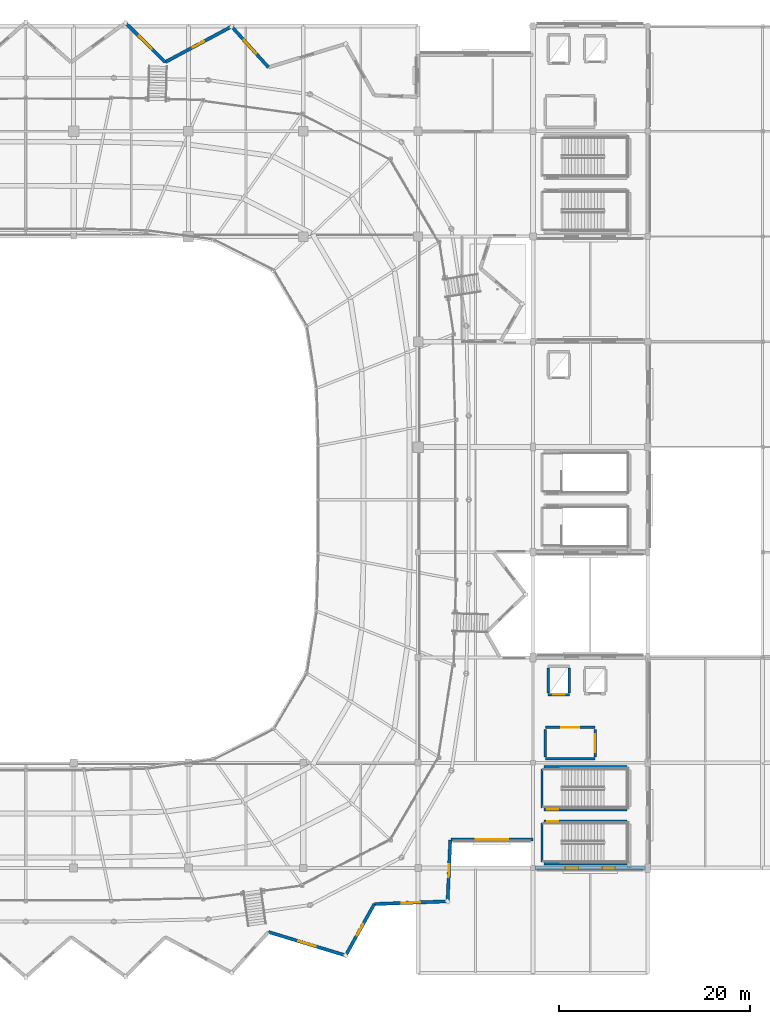
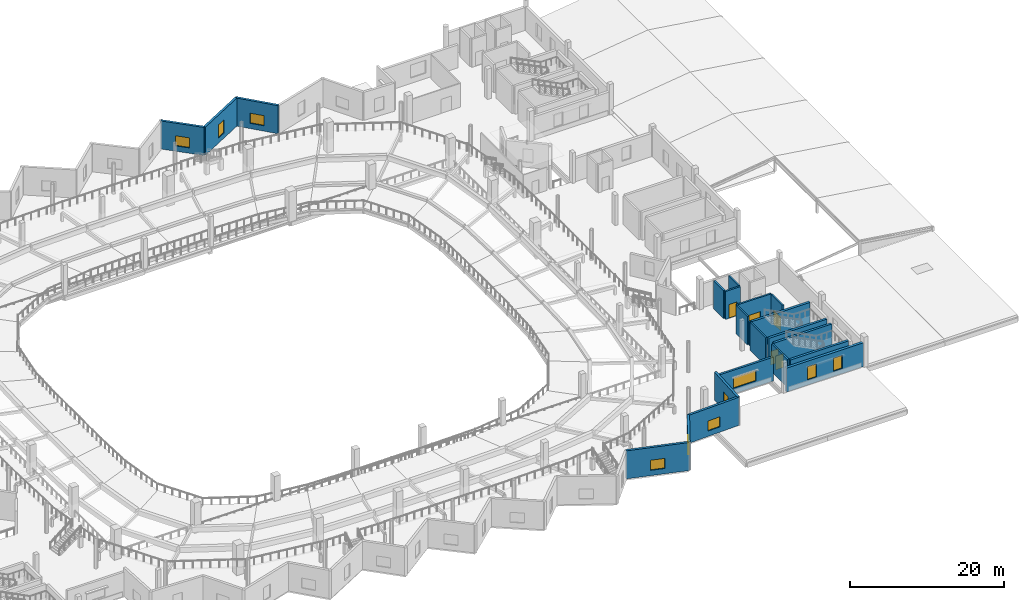
# One storey, part 56 of 77: 22 walls, 10 windows, 5 doors, 15 openings.
"""IFC4 building model written with IfcOpenShell, lengths in metres."""

from ifc_helpers import new_model, si_unit, direction, frame, frame_2d, origin, place, context, subcontext, project, spatial, rectangle, extrude, material, layer, layer_set, type_object, element, fill, save


model = new_model("IFC4")

# Units and contexts
model_context = context("Model", 3, precision=1e-05, world=origin(), true_north=direction((0.0, 1.0)))
body_context = subcontext(model_context, "Body", "Model", "MODEL_VIEW")
ifc_project = project(units=[si_unit("LENGTHUNIT", "METRE"), si_unit("AREAUNIT", "SQUARE_METRE"), si_unit("VOLUMEUNIT", "CUBIC_METRE"), si_unit("PLANEANGLEUNIT", "RADIAN"), si_unit("MASSUNIT", "GRAM", prefix="KILO")], contexts=[model_context])

# Site, building, storey
site_placement = place(None, origin())
site = spatial("IfcSite", under=ifc_project, at=site_placement, CompositionType="ELEMENT")
building_placement = place(site_placement, origin())
building = spatial("IfcBuilding", under=site, at=building_placement, Name="Luwafu Chhajja Arena", CompositionType="ELEMENT")
storey_placement = place(building_placement, frame((0.0, 0.0, 14.699951171875)))
storey = spatial("IfcBuildingStorey", under=building, at=storey_placement, Name="L03", CompositionType="ELEMENT", Elevation=14.699951171875)

# Wall, opening, door
ifc_material_1 = material(Name="Concrete C40/50", Category="concrete")
ifc_layer_1 = layer(ifc_material_1, 0.260009765625, Name="Concrete C40/50")
ifc_layer_set_1 = layer_set([ifc_layer_1], Name="Concrete C40/50")
wall_type_1 = type_object("IfcWallType", Name="Firefighting Lobby Wall 260", PredefinedType="SOLIDWALL", material=ifc_layer_set_1)
wall_1_placement = place(storey_placement, frame((153.300048828125, 25.699951171875, 0.0), z_axis=(0.0, 0.0, 1.0), x_axis=(1.0, 0.0, 0.0)))
wall_1 = element("IfcWall", 1, at=wall_1_placement, inside=storey, type_object=wall_type_1, Name="L03 Core C2 Firefighting Lobby Wall N", PredefinedType="SOLIDWALL", context=body_context, shape_type="SweptSolid", body=[
    extrude(rectangle(XDim=5.199951171875, YDim=0.260009765625, at=frame_2d((2.60009765625, 0.0))), origin(), (0.0, 0.0, 1.0), 4.4599609375),
])
opening_1_placement = place(wall_1_placement, frame((1.64990234375, 0.0, 0.0)))
opening_1 = element("IfcOpeningElement", 2, at=opening_1_placement, cuts=wall_1, Name="Opening DR-07", PredefinedType="OPENING", context=body_context, shape_type="SweptSolid", body=[
    extrude(rectangle(XDim=1.89990234375, YDim=2.199951171875, at=frame_2d((0.949951171875, 1.10009765625))), frame((0.0, 0.139892578125, 0.0), z_axis=(0.0, -1.0, 0.0), x_axis=(1.0, 0.0, 0.0)), (0.0, 0.0, 1.0), 0.280029296875),
])
ifc_material_2 = material(Name="Fire-rated hardwood and vision panel", Category="wood")
door_type_1 = type_object("IfcDoorType", Name="DR-07", OperationType="DOUBLE_DOOR_SINGLE_SWING", PredefinedType="DOOR", material=ifc_material_2)
door_1_placement = place(opening_1_placement, origin())
door_1 = element("IfcDoor", 3, at=door_1_placement, inside=storey, type_object=door_type_1, Name="L03 Firefighting Lobby C2 Door L03-D007", OperationType="DOUBLE_DOOR_SINGLE_SWING", OverallHeight=2.199951171875, OverallWidth=1.89990234375, PredefinedType="DOOR", context=body_context, shape_type="SweptSolid", body=[
    extrude(rectangle(XDim=1.89990234375, YDim=2.199951171875, at=frame_2d((0.949951171875, 1.10009765625))), frame((0.0, 0.02490234375, 0.0), z_axis=(0.0, -1.0, 0.0), x_axis=(1.0, 0.0, 0.0)), (0.0, 0.0, 1.0), 0.050048828125),
])
fill(opening_1, door_1)

# Walls
wall_2_placement = place(storey_placement, frame((153.300048828125, 22.39990234375, 0.0), z_axis=(0.0, 0.0, 1.0), x_axis=(1.0, 0.0, 0.0)))
element("IfcWall", 4, at=wall_2_placement, inside=storey, type_object=wall_type_1, Name="L03 Core C2 Firefighting Lobby Wall S", PredefinedType="SOLIDWALL", context=body_context, shape_type="SweptSolid", body=[
    extrude(rectangle(XDim=5.199951171875, YDim=0.260009765625, at=frame_2d((2.60009765625, 0.0))), origin(), (0.0, 0.0, 1.0), 3.7900390625),
])
wall_3_placement = place(storey_placement, frame((153.300048828125, 22.60009765625, 0.0), z_axis=(0.0, 0.0, 1.0), x_axis=(0.0, 1.0, 0.0)))
element("IfcWall", 5, at=wall_3_placement, inside=storey, type_object=wall_type_1, Name="L03 Core C2 Firefighting Lobby Wall W", PredefinedType="SOLIDWALL", context=body_context, shape_type="SweptSolid", body=[
    extrude(rectangle(XDim=2.89990234375, YDim=0.260009765625, at=frame_2d((1.449951171875, 0.0))), origin(), (0.0, 0.0, 1.0), 4.4599609375),
])

# Wall, opening, door
wall_4_placement = place(storey_placement, frame((158.5, 22.60009765625, 0.0), z_axis=(0.0, 0.0, 1.0), x_axis=(0.0, 1.0, 0.0)))
wall_4 = element("IfcWall", 6, at=wall_4_placement, inside=storey, type_object=wall_type_1, Name="L03 Core C2 Firefighting Lobby Wall E", PredefinedType="SOLIDWALL", context=body_context, shape_type="SweptSolid", body=[
    extrude(rectangle(XDim=2.89990234375, YDim=0.260009765625, at=frame_2d((1.449951171875, 0.0))), origin(), (0.0, 0.0, 1.0), 4.4599609375),
])
opening_2_placement = place(wall_4_placement, frame((0.5, 0.0, 0.0)))
opening_2 = element("IfcOpeningElement", 7, at=opening_2_placement, cuts=wall_4, Name="Opening DR-07", PredefinedType="OPENING", context=body_context, shape_type="SweptSolid", body=[
    extrude(rectangle(XDim=1.89990234375, YDim=2.199951171875, at=frame_2d((0.949951171875, 1.10009765625))), frame((0.0, 0.139892578125, 0.0), z_axis=(0.0, -1.0, 0.0), x_axis=(1.0, 0.0, 0.0)), (0.0, 0.0, 1.0), 0.280029296875),
])
door_2_placement = place(opening_2_placement, origin())
door_2 = element("IfcDoor", 8, at=door_2_placement, inside=storey, type_object=door_type_1, Name="L03 Firefighting Lobby C2 Door L03-D008", OperationType="DOUBLE_DOOR_SINGLE_SWING", OverallHeight=2.199951171875, OverallWidth=1.89990234375, PredefinedType="DOOR", context=body_context, shape_type="SweptSolid", body=[
    extrude(rectangle(XDim=1.89990234375, YDim=2.199951171875, at=frame_2d((0.949951171875, 1.10009765625))), frame((0.0, 0.02490234375, 0.0), z_axis=(0.0, -1.0, 0.0), x_axis=(1.0, 0.0, 0.0)), (0.0, 0.0, 1.0), 0.050048828125),
])
fill(opening_2, door_2)

ifc_material_3 = material(Name="Concrete C35/45", Category="concrete")
ifc_layer_2 = layer(ifc_material_3, 0.260009765625, Name="Concrete C35/45")
ifc_layer_set_2 = layer_set([ifc_layer_2], Name="Concrete C35/45")
wall_type_2 = type_object("IfcWallType", Name="Lift and Riser Shaft Wall 260", PredefinedType="SOLIDWALL", material=ifc_layer_set_2)
wall_5_placement = place(storey_placement, frame((153.590087890625, 29.114990234375, 0.0), z_axis=(0.0, 0.0, 1.0), x_axis=(1.0, 0.0, 0.0)))
wall_5 = element("IfcWall", 9, at=wall_5_placement, inside=storey, type_object=wall_type_2, Name="L03 Lift LF-02 Shaft Wall S", PredefinedType="SOLIDWALL", context=body_context, shape_type="SweptSolid", body=[
    extrude(rectangle(XDim=2.219970703125, YDim=0.260009765625, at=frame_2d((1.10986328125, 0.0))), origin(), (0.0, 0.0, 1.0), 4.4599609375),
])
opening_3_placement = place(wall_5_placement, frame((0.510009765625, 0.0, 0.0)))
opening_3 = element("IfcOpeningElement", 10, at=opening_3_placement, cuts=wall_5, Name="Opening LD-02", PredefinedType="OPENING", context=body_context, shape_type="SweptSolid", body=[
    extrude(rectangle(XDim=1.199951171875, YDim=2.199951171875, at=frame_2d((0.60009765625, 1.10009765625))), frame((0.0, 0.139892578125, 0.0), z_axis=(0.0, -1.0, 0.0), x_axis=(1.0, 0.0, 0.0)), (0.0, 0.0, 1.0), 0.280029296875),
])
ifc_material_4 = material(Name="Brushed stainless steel sliding leaves", Category="steel")
door_type_2 = type_object("IfcDoorType", Name="LD-02", OperationType="SLIDING_TO_LEFT", PredefinedType="DOOR", material=ifc_material_4)
door_3_placement = place(opening_3_placement, origin())
door_3 = element("IfcDoor", 11, at=door_3_placement, inside=storey, type_object=door_type_2, Name="L03 Lift LF-02 Landing Door L03-LD03", OperationType="SLIDING_TO_LEFT", OverallHeight=2.199951171875, OverallWidth=1.199951171875, PredefinedType="DOOR", context=body_context, shape_type="SweptSolid", body=[
    extrude(rectangle(XDim=1.199951171875, YDim=2.199951171875, at=frame_2d((0.60009765625, 1.10009765625))), frame((0.0, 0.02490234375, 0.0), z_axis=(0.0, -1.0, 0.0), x_axis=(1.0, 0.0, 0.0)), (0.0, 0.0, 1.0), 0.050048828125),
])
fill(opening_3, door_3)

# Walls
for number, where, z_axis, x_axis, name in (
    (12, (153.590087890625, 29.31494140625, 0.0), (0.0, 0.0, 1.0), (0.0, 1.0, 0.0), "L03 Lift LF-02 Shaft Wall W"),
    (13, (155.81005859375, 29.31494140625, 0.0), (0.0, 0.0, 1.0), (0.0, 1.0, 0.0), "L03 Lift LF-02 Shaft Wall E"),
):
    element("IfcWall", number, at=place(storey_placement, frame(where, z_axis=z_axis, x_axis=x_axis)), inside=storey, type_object=wall_type_2, Name=name, PredefinedType="SOLIDWALL", context=body_context, shape_type="SweptSolid", body=[
        extrude(rectangle(XDim=2.570068359375, YDim=0.260009765625, at=frame_2d((1.28515625, 0.0))), origin(), (0.0, 0.0, 1.0), 4.4599609375),
    ])

# Wall, opening, window
ifc_material_5 = material(Name="Precast concrete C40/50", Category="concrete")
ifc_layer_3 = layer(ifc_material_5, 0.340087890625, Name="Precast concrete C40/50")
ifc_layer_set_3 = layer_set([ifc_layer_3], Name="Precast concrete C40/50")
wall_type_3 = type_object("IfcWallType", Name="Pleated Bowl V-Fold Wall 340", PredefinedType="USERDEFINED", material=ifc_layer_set_3)
wall_6_placement = place(storey_placement, frame((124.364013671875, 94.683837890625, 0.0), z_axis=(0.0, 0.0, 1.0), x_axis=(-0.670348131104, 0.742046752654, 0.0)))
wall_6 = element("IfcWall", 14, at=wall_6_placement, inside=storey, type_object=wall_type_3, Name="L03 Pleated Bowl V-Fold Wall 12", ObjectType="PLEATED FACADE WALL", PredefinedType="USERDEFINED", context=body_context, shape_type="SweptSolid", body=[
    extrude(rectangle(XDim=5.747802734375, YDim=0.340087890625, at=frame_2d((2.8740234375, 0.0))), origin(), (0.0, 0.0, 1.0), 4.455078125),
])
opening_4_placement = place(wall_6_placement, frame((1.923828125, 0.0, 0.85009765625)))
opening_4 = element("IfcOpeningElement", 15, at=opening_4_placement, cuts=wall_6, Name="Opening WN-15", PredefinedType="OPENING", context=body_context, shape_type="SweptSolid", body=[
    extrude(rectangle(XDim=1.89990234375, YDim=1.60009765625, at=frame_2d((0.949951171875, 0.800048828125))), frame((0.0, 0.179931640625, 0.0), z_axis=(0.0, -1.0, 0.0), x_axis=(1.0, 0.0, 0.0)), (0.0, 0.0, 1.0), 0.360107421875),
])
ifc_material_6 = material(Name="Solar-control laminated glass", Category="glass")
window_type_1 = type_object("IfcWindowType", Name="Pleated Drum Inward-Fold Clerestory 1900x1600", PartitioningType="SINGLE_PANEL", PredefinedType="WINDOW", material=ifc_material_6)
window_1_placement = place(opening_4_placement, origin())
window_1 = element("IfcWindow", 16, at=window_1_placement, inside=storey, type_object=window_type_1, Name="L03 Pleated Bowl Lancet Window 041", OverallHeight=1.60009765625, OverallWidth=1.89990234375, PartitioningType="SINGLE_PANEL", PredefinedType="WINDOW", context=body_context, shape_type="SweptSolid", body=[
    extrude(rectangle(XDim=1.89990234375, YDim=1.60009765625, at=frame_2d((0.949951171875, 0.800048828125))), frame((0.0, 0.030029296875, 0.0), z_axis=(0.0, -1.0, 0.0), x_axis=(1.0, 0.0, 0.0)), (0.0, 0.0, 1.0), 0.06005859375),
])
fill(opening_4, window_1)

wall_7_placement = place(storey_placement, frame((120.510986328125, 98.948974609375, 0.0), z_axis=(0.0, 0.0, 1.0), x_axis=(-0.881201188687, -0.472741435731, 0.0)))
wall_7 = element("IfcWall", 17, at=wall_7_placement, inside=storey, type_object=wall_type_3, Name="L03 Pleated Bowl V-Fold Wall 13", ObjectType="PLEATED FACADE WALL", PredefinedType="USERDEFINED", context=body_context, shape_type="SweptSolid", body=[
    extrude(rectangle(XDim=7.880859375, YDim=0.340087890625, at=frame_2d((3.9404296875, 0.0))), origin(), (0.0, 0.0, 1.0), 4.455078125),
])
opening_5_placement = place(wall_7_placement, frame((3.265380859375, 0.0, 0.800048828125)))
opening_5 = element("IfcOpeningElement", 18, at=opening_5_placement, cuts=wall_7, Name="Opening WN-17", PredefinedType="OPENING", context=body_context, shape_type="SweptSolid", body=[
    extrude(rectangle(XDim=1.35009765625, YDim=2.10009765625, at=frame_2d((0.675048828125, 1.050048828125))), frame((0.0, 0.179931640625, 0.0), z_axis=(0.0, -1.0, 0.0), x_axis=(1.0, 0.0, 0.0)), (0.0, 0.0, 1.0), 0.360107421875),
])
window_type_2 = type_object("IfcWindowType", Name="Exhibition Mezzanine Lancet Window 1350x2100", PartitioningType="SINGLE_PANEL", PredefinedType="WINDOW", material=ifc_material_6)
window_2_placement = place(opening_5_placement, origin())
window_2 = element("IfcWindow", 19, at=window_2_placement, inside=storey, type_object=window_type_2, Name="L03 Pleated Bowl Lancet Window 042", OverallHeight=2.10009765625, OverallWidth=1.35009765625, PartitioningType="SINGLE_PANEL", PredefinedType="WINDOW", context=body_context, shape_type="SweptSolid", body=[
    extrude(rectangle(XDim=1.35009765625, YDim=2.10009765625, at=frame_2d((0.675048828125, 1.050048828125))), frame((0.0, 0.030029296875, 0.0), z_axis=(0.0, -1.0, 0.0), x_axis=(1.0, 0.0, 0.0)), (0.0, 0.0, 1.0), 0.06005859375),
])
fill(opening_5, window_2)

wall_8_placement = place(storey_placement, frame((113.56640625, 95.223388671875, 0.0), z_axis=(0.0, 0.0, 1.0), x_axis=(-0.710084208502, 0.704116763638, 0.0)))
wall_8 = element("IfcWall", 20, at=wall_8_placement, inside=storey, type_object=wall_type_3, Name="L03 Pleated Bowl V-Fold Wall 14", ObjectType="PLEATED FACADE WALL", PredefinedType="USERDEFINED", context=body_context, shape_type="SweptSolid", body=[
    extrude(rectangle(XDim=5.850341796875, YDim=0.340087890625, at=frame_2d((2.92529296875, 0.0))), origin(), (0.0, 0.0, 1.0), 4.455078125),
])
opening_6_placement = place(wall_8_placement, frame((1.97509765625, 0.0, 0.85009765625)))
opening_6 = element("IfcOpeningElement", 21, at=opening_6_placement, cuts=wall_8, Name="Opening WN-15", PredefinedType="OPENING", context=body_context, shape_type="SweptSolid", body=[
    extrude(rectangle(XDim=1.89990234375, YDim=1.60009765625, at=frame_2d((0.949951171875, 0.800048828125))), frame((0.0, 0.179931640625, 0.0), z_axis=(0.0, -1.0, 0.0), x_axis=(1.0, 0.0, 0.0)), (0.0, 0.0, 1.0), 0.360107421875),
])
window_3_placement = place(opening_6_placement, origin())
window_3 = element("IfcWindow", 22, at=window_3_placement, inside=storey, type_object=window_type_1, Name="L03 Pleated Bowl Lancet Window 043", OverallHeight=1.60009765625, OverallWidth=1.89990234375, PartitioningType="SINGLE_PANEL", PredefinedType="WINDOW", context=body_context, shape_type="SweptSolid", body=[
    extrude(rectangle(XDim=1.89990234375, YDim=1.60009765625, at=frame_2d((0.949951171875, 0.800048828125))), frame((0.0, 0.030029296875, 0.0), z_axis=(0.0, -1.0, 0.0), x_axis=(1.0, 0.0, 0.0)), (0.0, 0.0, 1.0), 0.06005859375),
])
fill(opening_6, window_3)

wall_9_placement = place(storey_placement, frame((124.364013671875, 4.316162109375, 0.0), z_axis=(0.0, 0.0, 1.0), x_axis=(0.956738407321, -0.290949514446, 0.0)))
wall_9 = element("IfcWall", 23, at=wall_9_placement, inside=storey, type_object=wall_type_3, Name="L03 Pleated Bowl V-Fold Wall 54", ObjectType="PLEATED FACADE WALL", PredefinedType="USERDEFINED", context=body_context, shape_type="SweptSolid", body=[
    extrude(rectangle(XDim=8.427978515625, YDim=0.340087890625, at=frame_2d((4.2138671875, 0.0))), origin(), (0.0, 0.0, 1.0), 4.455078125),
])
opening_7_placement = place(wall_9_placement, frame((3.263916015625, 0.0, 0.85009765625)))
opening_7 = element("IfcOpeningElement", 24, at=opening_7_placement, cuts=wall_9, Name="Opening WN-15", PredefinedType="OPENING", context=body_context, shape_type="SweptSolid", body=[
    extrude(rectangle(XDim=1.89990234375, YDim=1.60009765625, at=frame_2d((0.949951171875, 0.800048828125))), frame((0.0, 0.179931640625, 0.0), z_axis=(0.0, -1.0, 0.0), x_axis=(1.0, 0.0, 0.0)), (0.0, 0.0, 1.0), 0.360107421875),
])
window_4_placement = place(opening_7_placement, origin())
window_4 = element("IfcWindow", 25, at=window_4_placement, inside=storey, type_object=window_type_1, Name="L03 Pleated Bowl Lancet Window 072", OverallHeight=1.60009765625, OverallWidth=1.89990234375, PartitioningType="SINGLE_PANEL", PredefinedType="WINDOW", context=body_context, shape_type="SweptSolid", body=[
    extrude(rectangle(XDim=1.89990234375, YDim=1.60009765625, at=frame_2d((0.949951171875, 0.800048828125))), frame((0.0, 0.030029296875, 0.0), z_axis=(0.0, -1.0, 0.0), x_axis=(1.0, 0.0, 0.0)), (0.0, 0.0, 1.0), 0.06005859375),
])
fill(opening_7, window_4)

wall_10_placement = place(storey_placement, frame((132.427490234375, 1.864013671875, 0.0), z_axis=(0.0, 0.0, 1.0), x_axis=(0.487306352228, 0.87323108, 0.0)))
wall_10 = element("IfcWall", 26, at=wall_10_placement, inside=storey, type_object=wall_type_3, Name="L03 Pleated Bowl V-Fold Wall 55", ObjectType="PLEATED FACADE WALL", PredefinedType="USERDEFINED", context=body_context, shape_type="SweptSolid", body=[
    extrude(rectangle(XDim=6.15283203125, YDim=0.340087890625, at=frame_2d((3.076416015625, 0.0))), origin(), (0.0, 0.0, 1.0), 4.455078125),
])
opening_8_placement = place(wall_10_placement, frame((2.401611328125, 0.0, 0.800048828125)))
opening_8 = element("IfcOpeningElement", 27, at=opening_8_placement, cuts=wall_10, Name="Opening WN-17", PredefinedType="OPENING", context=body_context, shape_type="SweptSolid", body=[
    extrude(rectangle(XDim=1.35009765625, YDim=2.10009765625, at=frame_2d((0.675048828125, 1.050048828125))), frame((0.0, 0.179931640625, 0.0), z_axis=(0.0, -1.0, 0.0), x_axis=(1.0, 0.0, 0.0)), (0.0, 0.0, 1.0), 0.360107421875),
])
window_5_placement = place(opening_8_placement, origin())
window_5 = element("IfcWindow", 28, at=window_5_placement, inside=storey, type_object=window_type_2, Name="L03 Pleated Bowl Lancet Window 073", OverallHeight=2.10009765625, OverallWidth=1.35009765625, PartitioningType="SINGLE_PANEL", PredefinedType="WINDOW", context=body_context, shape_type="SweptSolid", body=[
    extrude(rectangle(XDim=1.35009765625, YDim=2.10009765625, at=frame_2d((0.675048828125, 1.050048828125))), frame((0.0, 0.030029296875, 0.0), z_axis=(0.0, -1.0, 0.0), x_axis=(1.0, 0.0, 0.0)), (0.0, 0.0, 1.0), 0.06005859375),
])
fill(opening_8, window_5)

wall_11_placement = place(storey_placement, frame((135.42578125, 7.23681640625, 0.0), z_axis=(0.0, 0.0, 1.0), x_axis=(0.999297884119, 0.037466502319, 0.0)))
wall_11 = element("IfcWall", 29, at=wall_11_placement, inside=storey, type_object=wall_type_3, Name="L03 Pleated Bowl V-Fold Wall 56", ObjectType="PLEATED FACADE WALL", PredefinedType="USERDEFINED", context=body_context, shape_type="SweptSolid", body=[
    extrude(rectangle(XDim=7.6630859375, YDim=0.340087890625, at=frame_2d((3.83154296875, 0.0))), origin(), (0.0, 0.0, 1.0), 4.455078125),
])
opening_9_placement = place(wall_11_placement, frame((2.881591796875, 0.0, 0.85009765625)))
opening_9 = element("IfcOpeningElement", 30, at=opening_9_placement, cuts=wall_11, Name="Opening WN-15", PredefinedType="OPENING", context=body_context, shape_type="SweptSolid", body=[
    extrude(rectangle(XDim=1.89990234375, YDim=1.60009765625, at=frame_2d((0.949951171875, 0.800048828125))), frame((0.0, 0.179931640625, 0.0), z_axis=(0.0, -1.0, 0.0), x_axis=(1.0, 0.0, 0.0)), (0.0, 0.0, 1.0), 0.360107421875),
])
window_6_placement = place(opening_9_placement, origin())
window_6 = element("IfcWindow", 31, at=window_6_placement, inside=storey, type_object=window_type_1, Name="L03 Pleated Bowl Lancet Window 074", OverallHeight=1.60009765625, OverallWidth=1.89990234375, PartitioningType="SINGLE_PANEL", PredefinedType="WINDOW", context=body_context, shape_type="SweptSolid", body=[
    extrude(rectangle(XDim=1.89990234375, YDim=1.60009765625, at=frame_2d((0.949951171875, 0.800048828125))), frame((0.0, 0.030029296875, 0.0), z_axis=(0.0, -1.0, 0.0), x_axis=(1.0, 0.0, 0.0)), (0.0, 0.0, 1.0), 0.06005859375),
])
fill(opening_9, window_6)

wall_12_placement = place(storey_placement, frame((143.08349609375, 7.52392578125, 0.0), z_axis=(0.0, 0.0, 1.0), x_axis=(0.043587819379, 0.99904959937, 0.0)))
wall_12 = element("IfcWall", 32, at=wall_12_placement, inside=storey, type_object=wall_type_3, Name="L03 Pleated Bowl V-Fold Wall 57", ObjectType="PLEATED FACADE WALL", PredefinedType="USERDEFINED", context=body_context, shape_type="SweptSolid", body=[
    extrude(rectangle(XDim=6.402099609375, YDim=0.340087890625, at=frame_2d((3.201171875, 0.0))), origin(), (0.0, 0.0, 1.0), 4.455078125),
])
opening_10_placement = place(wall_12_placement, frame((2.52587890625, 0.0, 0.800048828125)))
opening_10 = element("IfcOpeningElement", 33, at=opening_10_placement, cuts=wall_12, Name="Opening WN-17", PredefinedType="OPENING", context=body_context, shape_type="SweptSolid", body=[
    extrude(rectangle(XDim=1.35009765625, YDim=2.10009765625, at=frame_2d((0.675048828125, 1.050048828125))), frame((0.0, 0.179931640625, 0.0), z_axis=(0.0, -1.0, 0.0), x_axis=(1.0, 0.0, 0.0)), (0.0, 0.0, 1.0), 0.360107421875),
])
window_7_placement = place(opening_10_placement, origin())
window_7 = element("IfcWindow", 34, at=window_7_placement, inside=storey, type_object=window_type_2, Name="L03 Pleated Bowl Lancet Window 075", OverallHeight=2.10009765625, OverallWidth=1.35009765625, PartitioningType="SINGLE_PANEL", PredefinedType="WINDOW", context=body_context, shape_type="SweptSolid", body=[
    extrude(rectangle(XDim=1.35009765625, YDim=2.10009765625, at=frame_2d((0.675048828125, 1.050048828125))), frame((0.0, 0.030029296875, 0.0), z_axis=(0.0, -1.0, 0.0), x_axis=(1.0, 0.0, 0.0)), (0.0, 0.0, 1.0), 0.06005859375),
])
fill(opening_10, window_7)

# Wall
ifc_layer_4 = layer(ifc_material_1, 0.35009765625, Name="Concrete C40/50")
ifc_layer_set_4 = layer_set([ifc_layer_4], Name="Concrete C40/50")
wall_type_4 = type_object("IfcWallType", Name="RC Core Shear Wall 350", PredefinedType="SOLIDWALL", material=ifc_layer_set_4)
wall_13_placement = place(storey_placement, frame((153.14990234375, 11.47802734375, 0.0), z_axis=(0.0, 0.0, 1.0), x_axis=(1.0, 0.0, 0.0)))
element("IfcWall", 35, at=wall_13_placement, inside=storey, type_object=wall_type_4, Name="L03 Stair ST-03 Core Shear Wall S", PredefinedType="SOLIDWALL", context=body_context, shape_type="SweptSolid", body=[
    extrude(rectangle(XDim=8.7001953125, YDim=0.35009765625, at=frame_2d((4.35009765625, 0.0))), origin(), (0.0, 0.0, 1.0), 4.4599609375),
])

# Wall, opening, door
wall_14_placement = place(storey_placement, frame((153.14990234375, 15.862060546875, 0.0), z_axis=(0.0, 0.0, 1.0), x_axis=(1.0, 0.0, 0.0)))
wall_14 = element("IfcWall", 36, at=wall_14_placement, inside=storey, type_object=wall_type_4, Name="L03 Stair ST-03 Core Shear Wall N", PredefinedType="SOLIDWALL", context=body_context, shape_type="SweptSolid", body=[
    extrude(rectangle(XDim=8.7001953125, YDim=0.35009765625, at=frame_2d((4.35009765625, 0.0))), origin(), (0.0, 0.0, 1.0), 4.4599609375),
])
opening_11_placement = place(wall_14_placement, frame((0.35009765625, 0.0, 0.0)))
opening_11 = element("IfcOpeningElement", 37, at=opening_11_placement, cuts=wall_14, Name="Opening DR-06", PredefinedType="OPENING", context=body_context, shape_type="SweptSolid", body=[
    extrude(rectangle(XDim=1.14990234375, YDim=2.199951171875, at=frame_2d((0.574951171875, 1.10009765625))), frame((0.0, 0.18505859375, 0.0), z_axis=(0.0, -1.0, 0.0), x_axis=(1.0, 0.0, 0.0)), (0.0, 0.0, 1.0), 0.3701171875),
])
ifc_material_7 = material(Name="Fire-rated hardwood and steel core", Category="steel")
door_type_3 = type_object("IfcDoorType", Name="DR-06", OperationType="NOTDEFINED", PredefinedType="DOOR", material=ifc_material_7)
door_4_placement = place(opening_11_placement, origin())
door_4 = element("IfcDoor", 38, at=door_4_placement, inside=storey, type_object=door_type_3, Name="L03 Escape Stair ST-03 Fire Door L03-D005", OperationType="SINGLE_SWING_RIGHT", OverallHeight=2.199951171875, OverallWidth=1.14990234375, PredefinedType="DOOR", context=body_context, shape_type="SweptSolid", body=[
    extrude(rectangle(XDim=1.14990234375, YDim=2.199951171875, at=frame_2d((0.574951171875, 1.10009765625))), frame((0.0, 0.02490234375, 0.0), z_axis=(0.0, -1.0, 0.0), x_axis=(1.0, 0.0, 0.0)), (0.0, 0.0, 1.0), 0.050048828125),
])
fill(opening_11, door_4)

wall_15_placement = place(storey_placement, frame((153.14990234375, 17.137939453125, 0.0), z_axis=(0.0, 0.0, 1.0), x_axis=(1.0, 0.0, 0.0)))
wall_15 = element("IfcWall", 39, at=wall_15_placement, inside=storey, type_object=wall_type_4, Name="L03 Stair ST-04 Core Shear Wall S", PredefinedType="SOLIDWALL", context=body_context, shape_type="SweptSolid", body=[
    extrude(rectangle(XDim=8.7001953125, YDim=0.35009765625, at=frame_2d((4.35009765625, 0.0))), origin(), (0.0, 0.0, 1.0), 4.4599609375),
])
opening_12_placement = place(wall_15_placement, frame((0.35009765625, 0.0, 0.0)))
opening_12 = element("IfcOpeningElement", 40, at=opening_12_placement, cuts=wall_15, Name="Opening DR-06", PredefinedType="OPENING", context=body_context, shape_type="SweptSolid", body=[
    extrude(rectangle(XDim=1.14990234375, YDim=2.199951171875, at=frame_2d((0.574951171875, 1.10009765625))), frame((0.0, 0.18505859375, 0.0), z_axis=(0.0, -1.0, 0.0), x_axis=(1.0, 0.0, 0.0)), (0.0, 0.0, 1.0), 0.3701171875),
])
door_5_placement = place(opening_12_placement, origin())
door_5 = element("IfcDoor", 41, at=door_5_placement, inside=storey, type_object=door_type_3, Name="L03 Escape Stair ST-04 Fire Door L03-D006", OperationType="SINGLE_SWING_LEFT", OverallHeight=2.199951171875, OverallWidth=1.14990234375, PredefinedType="DOOR", context=body_context, shape_type="SweptSolid", body=[
    extrude(rectangle(XDim=1.14990234375, YDim=2.199951171875, at=frame_2d((0.574951171875, 1.10009765625))), frame((0.0, 0.02490234375, 0.0), z_axis=(0.0, -1.0, 0.0), x_axis=(1.0, 0.0, 0.0)), (0.0, 0.0, 1.0), 0.050048828125),
])
fill(opening_12, door_5)

# Wall
wall_16_placement = place(storey_placement, frame((153.14990234375, 21.52197265625, 0.0), z_axis=(0.0, 0.0, 1.0), x_axis=(1.0, 0.0, 0.0)))
element("IfcWall", 42, at=wall_16_placement, inside=storey, type_object=wall_type_4, Name="L03 Stair ST-04 Core Shear Wall N", PredefinedType="SOLIDWALL", context=body_context, shape_type="SweptSolid", body=[
    extrude(rectangle(XDim=8.7001953125, YDim=0.35009765625, at=frame_2d((4.35009765625, 0.0))), origin(), (0.0, 0.0, 1.0), 4.4599609375),
])

# Wall, openings, windows
ifc_layer_5 = layer(ifc_material_1, 0.39990234375, Name="Concrete C40/50")
ifc_layer_set_5 = layer_set([ifc_layer_5], Name="Concrete C40/50")
wall_type_5 = type_object("IfcWallType", Name="RC Core Shear Wall 400", PredefinedType="SOLIDWALL", material=ifc_layer_set_5)
wall_17_placement = place(storey_placement, frame((152.219970703125, 11.0, 0.0), z_axis=(0.0, 0.0, 1.0), x_axis=(1.0, 0.0, 0.0)))
wall_17 = element("IfcWall", 43, at=wall_17_placement, inside=storey, type_object=wall_type_5, Name="L03 Exterior Wall WEX-L03-198", PredefinedType="SOLIDWALL", context=body_context, shape_type="SweptSolid", body=[
    extrude(rectangle(XDim=11.56005859375, YDim=0.39990234375, at=frame_2d((5.780029296875, 0.0))), origin(), (0.0, 0.0, 1.0), 3.77783203125),
])
opening_13_placement = place(wall_17_placement, frame((3.17822265625, 0.0, 0.800048828125)))
opening_13 = element("IfcOpeningElement", 44, at=opening_13_placement, cuts=wall_17, Name="Opening WN-17", PredefinedType="OPENING", context=body_context, shape_type="SweptSolid", body=[
    extrude(rectangle(XDim=1.35009765625, YDim=2.10009765625, at=frame_2d((0.675048828125, 1.050048828125))), frame((0.0, 0.2099609375, 0.0), z_axis=(0.0, -1.0, 0.0), x_axis=(1.0, 0.0, 0.0)), (0.0, 0.0, 1.0), 0.419921875),
])
opening_14_placement = place(wall_17_placement, frame((7.03173828125, 0.0, 0.800048828125)))
opening_14 = element("IfcOpeningElement", 45, at=opening_14_placement, cuts=wall_17, Name="Opening WN-17", PredefinedType="OPENING", context=body_context, shape_type="SweptSolid", body=[
    extrude(rectangle(XDim=1.35009765625, YDim=2.10009765625, at=frame_2d((0.675048828125, 1.050048828125))), frame((0.0, 0.2099609375, 0.0), z_axis=(0.0, -1.0, 0.0), x_axis=(1.0, 0.0, 0.0)), (0.0, 0.0, 1.0), 0.419921875),
])
window_8_placement = place(opening_13_placement, origin())
window_8 = element("IfcWindow", 46, at=window_8_placement, inside=storey, type_object=window_type_2, Name="L03 Facade Window 146", OverallHeight=2.10009765625, OverallWidth=1.35009765625, PartitioningType="SINGLE_PANEL", PredefinedType="WINDOW", context=body_context, shape_type="SweptSolid", body=[
    extrude(rectangle(XDim=1.35009765625, YDim=2.10009765625, at=frame_2d((0.675048828125, 1.050048828125))), frame((0.0, 0.030029296875, 0.0), z_axis=(0.0, -1.0, 0.0), x_axis=(1.0, 0.0, 0.0)), (0.0, 0.0, 1.0), 0.06005859375),
])
fill(opening_13, window_8)
window_9_placement = place(opening_14_placement, origin())
window_9 = element("IfcWindow", 47, at=window_9_placement, inside=storey, type_object=window_type_2, Name="L03 Facade Window 147", OverallHeight=2.10009765625, OverallWidth=1.35009765625, PartitioningType="SINGLE_PANEL", PredefinedType="WINDOW", context=body_context, shape_type="SweptSolid", body=[
    extrude(rectangle(XDim=1.35009765625, YDim=2.10009765625, at=frame_2d((0.675048828125, 1.050048828125))), frame((0.0, 0.030029296875, 0.0), z_axis=(0.0, -1.0, 0.0), x_axis=(1.0, 0.0, 0.0)), (0.0, 0.0, 1.0), 0.06005859375),
])
fill(opening_14, window_9)

# Wall, opening, window
ifc_layer_6 = layer(ifc_material_3, 0.320068359375, Name="Concrete C35/45")
ifc_layer_set_6 = layer_set([ifc_layer_6], Name="Concrete C35/45")
wall_type_6 = type_object("IfcWallType", Name="Sandstone Backed Exterior Wall 320", PredefinedType="SOLIDWALL", material=ifc_layer_set_6)
wall_18_placement = place(storey_placement, frame((143.426025390625, 14.0, 0.0), z_axis=(0.0, 0.0, 1.0), x_axis=(1.0, 0.0, 0.0)))
wall_18 = element("IfcWall", 48, at=wall_18_placement, inside=storey, type_object=wall_type_6, Name="L03 Exterior Wall WEX-L03-195", PredefinedType="SOLIDWALL", context=body_context, shape_type="SweptSolid", body=[
    extrude(rectangle(XDim=8.573974609375, YDim=0.320068359375, at=frame_2d((4.287109375, 0.0))), origin(), (0.0, 0.0, 1.0), 3.77783203125),
])
opening_15_placement = place(wall_18_placement, frame((2.5869140625, 0.0, 0.89990234375)))
opening_15 = element("IfcOpeningElement", 49, at=opening_15_placement, cuts=wall_18, Name="Opening WN-18", PredefinedType="OPENING", context=body_context, shape_type="SweptSolid", body=[
    extrude(rectangle(XDim=3.39990234375, YDim=1.75, at=frame_2d((1.699951171875, 0.875))), frame((0.0, 0.169921875, 0.0), z_axis=(0.0, -1.0, 0.0), x_axis=(1.0, 0.0, 0.0)), (0.0, 0.0, 1.0), 0.340087890625),
])
window_type_3 = type_object("IfcWindowType", Name="VIP Dining Panoramic Window 3400x1750", PartitioningType="SINGLE_PANEL", PredefinedType="WINDOW", material=ifc_material_6)
window_10_placement = place(opening_15_placement, origin())
window_10 = element("IfcWindow", 50, at=window_10_placement, inside=storey, type_object=window_type_3, Name="L03 Facade Window 143", OverallHeight=1.75, OverallWidth=3.39990234375, PartitioningType="SINGLE_PANEL", PredefinedType="WINDOW", context=body_context, shape_type="SweptSolid", body=[
    extrude(rectangle(XDim=3.39990234375, YDim=1.75, at=frame_2d((1.699951171875, 0.875))), frame((0.0, 0.030029296875, 0.0), z_axis=(0.0, -1.0, 0.0), x_axis=(1.0, 0.0, 0.0)), (0.0, 0.0, 1.0), 0.06005859375),
])
fill(opening_15, window_10)

# Walls
ifc_layer_7 = layer(ifc_material_3, 0.22998046875, Name="Concrete C35/45")
ifc_layer_set_7 = layer_set([ifc_layer_7], Name="Concrete C35/45")
wall_type_7 = type_object("IfcWallType", Name="Stair Enclosure Wall 230", PredefinedType="SOLIDWALL", material=ifc_layer_set_7)
for number, where, z_axis, x_axis, name in (
    (51, (152.9599609375, 11.6298828125, 0.0), (0.0, 0.0, 1.0), (0.0, 1.0, 0.0), "L03 Stair ST-03 Enclosure Wall W"),
    (52, (152.9599609375, 17.2900390625, 0.0), (0.0, 0.0, 1.0), (0.0, 1.0, 0.0), "L03 Stair ST-04 Enclosure Wall W"),
):
    element("IfcWall", number, at=place(storey_placement, frame(where, z_axis=z_axis, x_axis=x_axis)), inside=storey, type_object=wall_type_7, Name=name, PredefinedType="SOLIDWALL", context=body_context, shape_type="SweptSolid", body=[
        extrude(rectangle(XDim=4.080078125, YDim=0.22998046875, at=frame_2d((2.0400390625, 0.0))), origin(), (0.0, 0.0, 1.0), 4.4599609375),
    ])

save(model, "model.ifc")
